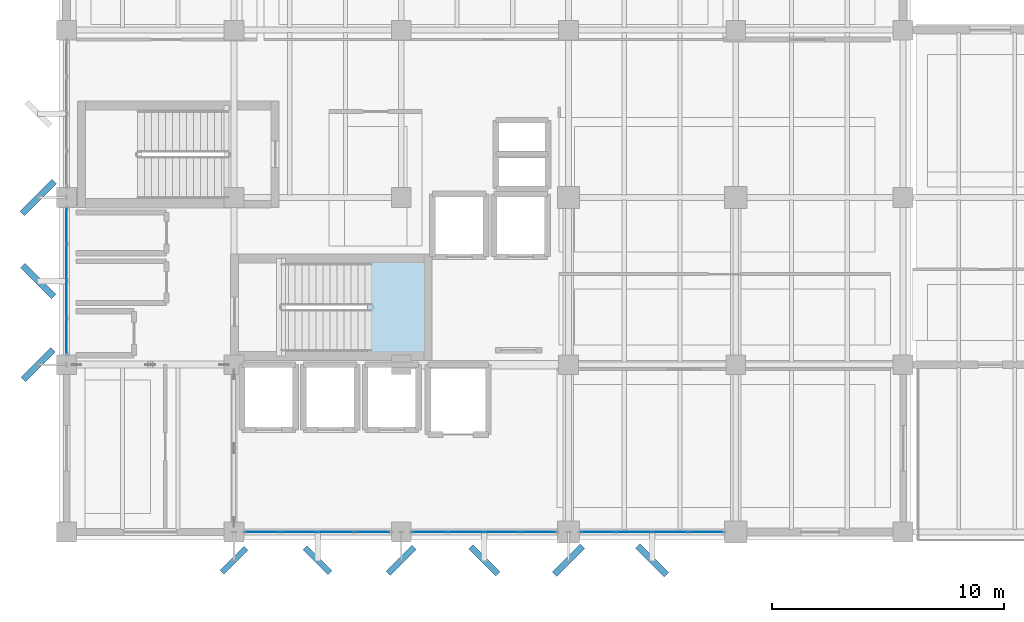
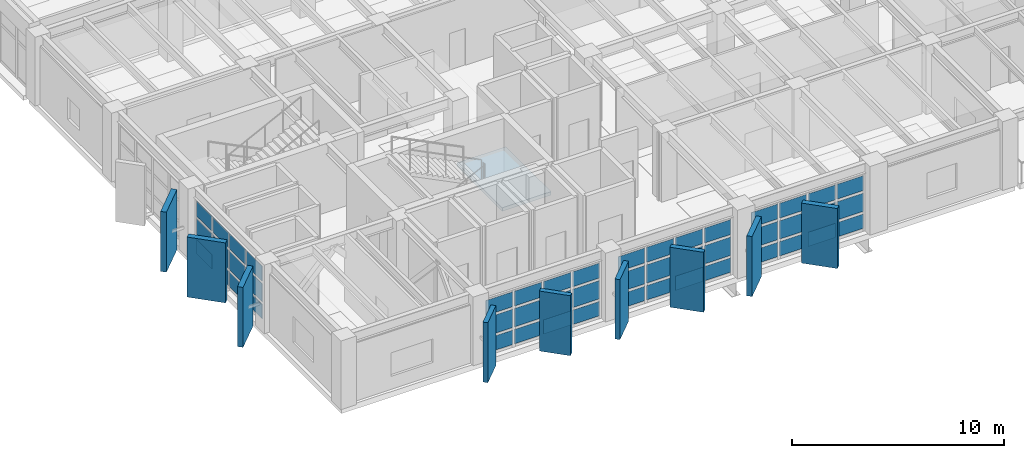
# One storey, part 34 of 59: 57 plates, 1 slab, 5 elements without a shape of their own.
"""IFC4 building model written with IfcOpenShell, lengths in metres."""

from ifc_helpers import new_model, si_unit, direction, frame, origin, origin_2d, place, context, subcontext, project, spatial, polyline, rectangle, outline, extrude, material, layer, layer_set, type_object, element, aggregate, save


model = new_model("IFC4")

# Units and contexts
model_context = context("Model", 3, precision=1e-05, world=origin(), true_north=direction((0.0, 1.0)))
body_context = subcontext(model_context, "Body", "Model", "MODEL_VIEW")
ifc_project = project(units=[si_unit("LENGTHUNIT", "METRE"), si_unit("AREAUNIT", "SQUARE_METRE"), si_unit("VOLUMEUNIT", "CUBIC_METRE"), si_unit("PLANEANGLEUNIT", "RADIAN"), si_unit("MASSUNIT", "GRAM", prefix="KILO")], contexts=[model_context])

# Site, building, storey
site_placement = place(None, origin())
site = spatial("IfcSite", under=ifc_project, at=site_placement, CompositionType="ELEMENT")
building_placement = place(site_placement, origin())
building = spatial("IfcBuilding", under=site, at=building_placement, Name="Kandorven Conservatory and Botanical Research Centre", CompositionType="ELEMENT")
storey_placement = place(building_placement, frame((0.0, 0.0, 4.800048828125)))
storey = spatial("IfcBuildingStorey", under=building, at=storey_placement, Name="L01", CompositionType="ELEMENT", Elevation=4.800048828125)

# Curtain wall, plates
ifc_material_1 = material(Name="Bronze anodised thermally broken aluminium", Category="aluminium")
ifc_layer_1 = layer(ifc_material_1, 0.179931640625)
ifc_layer_set_1 = layer_set([ifc_layer_1], Name="Bronze anodised thermally broken aluminium")
curtain_wall_type = type_object("IfcCurtainWallType", Name="CW_Unitised", PredefinedType="USERDEFINED", material=ifc_layer_set_1)
curtain_wall_1_placement = place(storey_placement, origin())
curtain_wall_1 = element("IfcCurtainWall", 1, at=curtain_wall_1_placement, inside=storey, type_object=curtain_wall_type, Name="Tower laboratory curtain wall CW-TWR-S-L01-2", ObjectType="UNITISED GLAZING", PredefinedType="USERDEFINED")
ifc_material_2 = material(Name="Double-glazed solar-control low-E glass", Category="glass")
ifc_layer_2 = layer(ifc_material_2, 0.028076171875)
ifc_layer_set_2 = layer_set([ifc_layer_2], Name="Double-glazed solar-control low-E glass")
plate_type_1 = type_object("IfcPlateType", Name="CW_Panel", PredefinedType="CURTAIN_PANEL", material=ifc_layer_set_2)
plate_1_placement = place(storey_placement, frame((14.438720703125, 6.0, 0.14990234375), z_axis=(0.0, 0.0, 1.0), x_axis=(1.0, 0.0, 0.0)))
plate_1 = element("IfcPlate", 2, at=plate_1_placement, type_object=plate_type_1, Name="CW-01 panel 1.1", PredefinedType="CURTAIN_PANEL", context=body_context, shape_type="SweptSolid", body=[
    extrude(rectangle(XDim=1.467529296875, YDim=0.028076171875, at=origin_2d()), origin(), (0.0, 0.0, 1.0), 0.824951171875),
])
plate_2_placement = place(storey_placement, frame((14.438720703125, 6.0, 1.125), z_axis=(0.0, 0.0, 1.0), x_axis=(1.0, 0.0, 0.0)))
plate_2 = element("IfcPlate", 3, at=plate_2_placement, type_object=plate_type_1, Name="CW-01 panel 1.2", PredefinedType="CURTAIN_PANEL", context=body_context, shape_type="SweptSolid", body=[
    extrude(rectangle(XDim=1.467529296875, YDim=0.028076171875, at=origin_2d()), origin(), (0.0, 0.0, 1.0), 1.050048828125),
])
plate_3_placement = place(storey_placement, frame((14.438720703125, 6.0, 2.324951171875), z_axis=(0.0, 0.0, 1.0), x_axis=(1.0, 0.0, 0.0)))
plate_3 = element("IfcPlate", 4, at=plate_3_placement, type_object=plate_type_1, Name="CW-01 panel 1.3", PredefinedType="CURTAIN_PANEL", context=body_context, shape_type="SweptSolid", body=[
    extrude(rectangle(XDim=1.467529296875, YDim=0.028076171875, at=origin_2d()), origin(), (0.0, 0.0, 1.0), 0.85498046875),
])
plate_4_placement = place(storey_placement, frame((16.00634765625, 6.0, 0.14990234375), z_axis=(0.0, 0.0, 1.0), x_axis=(1.0, 0.0, 0.0)))
plate_4 = element("IfcPlate", 5, at=plate_4_placement, type_object=plate_type_1, Name="CW-01 panel 2.1", PredefinedType="CURTAIN_PANEL", context=body_context, shape_type="SweptSolid", body=[
    extrude(rectangle(XDim=1.507568359375, YDim=0.028076171875, at=origin_2d()), origin(), (0.0, 0.0, 1.0), 0.824951171875),
])
plate_5_placement = place(storey_placement, frame((16.00634765625, 6.0, 1.125), z_axis=(0.0, 0.0, 1.0), x_axis=(1.0, 0.0, 0.0)))
plate_5 = element("IfcPlate", 6, at=plate_5_placement, type_object=plate_type_1, Name="CW-01 panel 2.2", PredefinedType="CURTAIN_PANEL", context=body_context, shape_type="SweptSolid", body=[
    extrude(rectangle(XDim=1.507568359375, YDim=0.028076171875, at=origin_2d()), origin(), (0.0, 0.0, 1.0), 1.050048828125),
])
plate_6_placement = place(storey_placement, frame((16.00634765625, 6.0, 2.324951171875), z_axis=(0.0, 0.0, 1.0), x_axis=(1.0, 0.0, 0.0)))
plate_6 = element("IfcPlate", 7, at=plate_6_placement, type_object=plate_type_1, Name="CW-01 panel 2.3", PredefinedType="CURTAIN_PANEL", context=body_context, shape_type="SweptSolid", body=[
    extrude(rectangle(XDim=1.507568359375, YDim=0.028076171875, at=origin_2d()), origin(), (0.0, 0.0, 1.0), 0.85498046875),
])
plate_7_placement = place(storey_placement, frame((17.59375, 6.0, 0.14990234375), z_axis=(0.0, 0.0, 1.0), x_axis=(1.0, 0.0, 0.0)))
plate_7 = element("IfcPlate", 8, at=plate_7_placement, type_object=plate_type_1, Name="CW-01 panel 3.1", PredefinedType="CURTAIN_PANEL", context=body_context, shape_type="SweptSolid", body=[
    extrude(rectangle(XDim=1.507568359375, YDim=0.028076171875, at=origin_2d()), origin(), (0.0, 0.0, 1.0), 0.824951171875),
])
plate_8_placement = place(storey_placement, frame((17.59375, 6.0, 1.125), z_axis=(0.0, 0.0, 1.0), x_axis=(1.0, 0.0, 0.0)))
plate_8 = element("IfcPlate", 9, at=plate_8_placement, type_object=plate_type_1, Name="CW-01 panel 3.2", PredefinedType="CURTAIN_PANEL", context=body_context, shape_type="SweptSolid", body=[
    extrude(rectangle(XDim=1.507568359375, YDim=0.028076171875, at=origin_2d()), origin(), (0.0, 0.0, 1.0), 1.050048828125),
])
plate_9_placement = place(storey_placement, frame((17.59375, 6.0, 2.324951171875), z_axis=(0.0, 0.0, 1.0), x_axis=(1.0, 0.0, 0.0)))
plate_9 = element("IfcPlate", 10, at=plate_9_placement, type_object=plate_type_1, Name="CW-01 panel 3.3", PredefinedType="CURTAIN_PANEL", context=body_context, shape_type="SweptSolid", body=[
    extrude(rectangle(XDim=1.507568359375, YDim=0.028076171875, at=origin_2d()), origin(), (0.0, 0.0, 1.0), 0.85498046875),
])
plate_10_placement = place(storey_placement, frame((19.1611328125, 6.0, 0.14990234375), z_axis=(0.0, 0.0, 1.0), x_axis=(1.0, 0.0, 0.0)))
plate_10 = element("IfcPlate", 11, at=plate_10_placement, type_object=plate_type_1, Name="CW-01 panel 4.1", PredefinedType="CURTAIN_PANEL", context=body_context, shape_type="SweptSolid", body=[
    extrude(rectangle(XDim=1.467529296875, YDim=0.028076171875, at=origin_2d()), origin(), (0.0, 0.0, 1.0), 0.824951171875),
])
plate_11_placement = place(storey_placement, frame((19.1611328125, 6.0, 1.125), z_axis=(0.0, 0.0, 1.0), x_axis=(1.0, 0.0, 0.0)))
plate_11 = element("IfcPlate", 12, at=plate_11_placement, type_object=plate_type_1, Name="CW-01 panel 4.2", PredefinedType="CURTAIN_PANEL", context=body_context, shape_type="SweptSolid", body=[
    extrude(rectangle(XDim=1.467529296875, YDim=0.028076171875, at=origin_2d()), origin(), (0.0, 0.0, 1.0), 1.050048828125),
])
plate_12_placement = place(storey_placement, frame((19.1611328125, 6.0, 2.324951171875), z_axis=(0.0, 0.0, 1.0), x_axis=(1.0, 0.0, 0.0)))
plate_12 = element("IfcPlate", 13, at=plate_12_placement, type_object=plate_type_1, Name="CW-01 panel 4.3", PredefinedType="CURTAIN_PANEL", context=body_context, shape_type="SweptSolid", body=[
    extrude(rectangle(XDim=1.467529296875, YDim=0.028076171875, at=origin_2d()), origin(), (0.0, 0.0, 1.0), 0.85498046875),
])
aggregate(curtain_wall_1, [plate_1, plate_2, plate_3, plate_4, plate_5, plate_6, plate_7, plate_8, plate_9, plate_10, plate_11, plate_12])

curtain_wall_2_placement = place(storey_placement, origin())
curtain_wall_2 = element("IfcCurtainWall", 14, at=curtain_wall_2_placement, inside=storey, type_object=curtain_wall_type, Name="Tower laboratory curtain wall CW-TWR-S-L01-3", ObjectType="UNITISED GLAZING", PredefinedType="USERDEFINED")
plate_13_placement = place(storey_placement, frame((21.632568359375, 6.0, 0.14990234375), z_axis=(0.0, 0.0, 1.0), x_axis=(1.0, 0.0, 0.0)))
plate_13 = element("IfcPlate", 15, at=plate_13_placement, type_object=plate_type_1, Name="CW-01 panel 1.1", PredefinedType="CURTAIN_PANEL", context=body_context, shape_type="SweptSolid", body=[
    extrude(rectangle(XDim=1.455078125, YDim=0.028076171875, at=origin_2d()), origin(), (0.0, 0.0, 1.0), 0.824951171875),
])
plate_14_placement = place(storey_placement, frame((21.632568359375, 6.0, 1.125), z_axis=(0.0, 0.0, 1.0), x_axis=(1.0, 0.0, 0.0)))
plate_14 = element("IfcPlate", 16, at=plate_14_placement, type_object=plate_type_1, Name="CW-01 panel 1.2", PredefinedType="CURTAIN_PANEL", context=body_context, shape_type="SweptSolid", body=[
    extrude(rectangle(XDim=1.455078125, YDim=0.028076171875, at=origin_2d()), origin(), (0.0, 0.0, 1.0), 1.050048828125),
])
plate_15_placement = place(storey_placement, frame((21.632568359375, 6.0, 2.324951171875), z_axis=(0.0, 0.0, 1.0), x_axis=(1.0, 0.0, 0.0)))
plate_15 = element("IfcPlate", 17, at=plate_15_placement, type_object=plate_type_1, Name="CW-01 panel 1.3", PredefinedType="CURTAIN_PANEL", context=body_context, shape_type="SweptSolid", body=[
    extrude(rectangle(XDim=1.455078125, YDim=0.028076171875, at=origin_2d()), origin(), (0.0, 0.0, 1.0), 0.85498046875),
])
plate_16_placement = place(storey_placement, frame((23.1875, 6.0, 0.14990234375), z_axis=(0.0, 0.0, 1.0), x_axis=(1.0, 0.0, 0.0)))
plate_16 = element("IfcPlate", 18, at=plate_16_placement, type_object=plate_type_1, Name="CW-01 panel 2.1", PredefinedType="CURTAIN_PANEL", context=body_context, shape_type="SweptSolid", body=[
    extrude(rectangle(XDim=1.4951171875, YDim=0.028076171875, at=origin_2d()), origin(), (0.0, 0.0, 1.0), 0.824951171875),
])
plate_17_placement = place(storey_placement, frame((23.1875, 6.0, 1.125), z_axis=(0.0, 0.0, 1.0), x_axis=(1.0, 0.0, 0.0)))
plate_17 = element("IfcPlate", 19, at=plate_17_placement, type_object=plate_type_1, Name="CW-01 panel 2.2", PredefinedType="CURTAIN_PANEL", context=body_context, shape_type="SweptSolid", body=[
    extrude(rectangle(XDim=1.4951171875, YDim=0.028076171875, at=origin_2d()), origin(), (0.0, 0.0, 1.0), 1.050048828125),
])
plate_18_placement = place(storey_placement, frame((23.1875, 6.0, 2.324951171875), z_axis=(0.0, 0.0, 1.0), x_axis=(1.0, 0.0, 0.0)))
plate_18 = element("IfcPlate", 20, at=plate_18_placement, type_object=plate_type_1, Name="CW-01 panel 2.3", PredefinedType="CURTAIN_PANEL", context=body_context, shape_type="SweptSolid", body=[
    extrude(rectangle(XDim=1.4951171875, YDim=0.028076171875, at=origin_2d()), origin(), (0.0, 0.0, 1.0), 0.85498046875),
])
plate_19_placement = place(storey_placement, frame((24.762451171875, 6.0, 0.14990234375), z_axis=(0.0, 0.0, 1.0), x_axis=(1.0, 0.0, 0.0)))
plate_19 = element("IfcPlate", 21, at=plate_19_placement, type_object=plate_type_1, Name="CW-01 panel 3.1", PredefinedType="CURTAIN_PANEL", context=body_context, shape_type="SweptSolid", body=[
    extrude(rectangle(XDim=1.4951171875, YDim=0.028076171875, at=origin_2d()), origin(), (0.0, 0.0, 1.0), 0.824951171875),
])
plate_20_placement = place(storey_placement, frame((24.762451171875, 6.0, 1.125), z_axis=(0.0, 0.0, 1.0), x_axis=(1.0, 0.0, 0.0)))
plate_20 = element("IfcPlate", 22, at=plate_20_placement, type_object=plate_type_1, Name="CW-01 panel 3.2", PredefinedType="CURTAIN_PANEL", context=body_context, shape_type="SweptSolid", body=[
    extrude(rectangle(XDim=1.4951171875, YDim=0.028076171875, at=origin_2d()), origin(), (0.0, 0.0, 1.0), 1.050048828125),
])
plate_21_placement = place(storey_placement, frame((24.762451171875, 6.0, 2.324951171875), z_axis=(0.0, 0.0, 1.0), x_axis=(1.0, 0.0, 0.0)))
plate_21 = element("IfcPlate", 23, at=plate_21_placement, type_object=plate_type_1, Name="CW-01 panel 3.3", PredefinedType="CURTAIN_PANEL", context=body_context, shape_type="SweptSolid", body=[
    extrude(rectangle(XDim=1.4951171875, YDim=0.028076171875, at=origin_2d()), origin(), (0.0, 0.0, 1.0), 0.85498046875),
])
plate_22_placement = place(storey_placement, frame((26.3173828125, 6.0, 0.14990234375), z_axis=(0.0, 0.0, 1.0), x_axis=(1.0, 0.0, 0.0)))
plate_22 = element("IfcPlate", 24, at=plate_22_placement, type_object=plate_type_1, Name="CW-01 panel 4.1", PredefinedType="CURTAIN_PANEL", context=body_context, shape_type="SweptSolid", body=[
    extrude(rectangle(XDim=1.455078125, YDim=0.028076171875, at=origin_2d()), origin(), (0.0, 0.0, 1.0), 0.824951171875),
])
plate_23_placement = place(storey_placement, frame((26.3173828125, 6.0, 1.125), z_axis=(0.0, 0.0, 1.0), x_axis=(1.0, 0.0, 0.0)))
plate_23 = element("IfcPlate", 25, at=plate_23_placement, type_object=plate_type_1, Name="CW-01 panel 4.2", PredefinedType="CURTAIN_PANEL", context=body_context, shape_type="SweptSolid", body=[
    extrude(rectangle(XDim=1.455078125, YDim=0.028076171875, at=origin_2d()), origin(), (0.0, 0.0, 1.0), 1.050048828125),
])
plate_24_placement = place(storey_placement, frame((26.3173828125, 6.0, 2.324951171875), z_axis=(0.0, 0.0, 1.0), x_axis=(1.0, 0.0, 0.0)))
plate_24 = element("IfcPlate", 26, at=plate_24_placement, type_object=plate_type_1, Name="CW-01 panel 4.3", PredefinedType="CURTAIN_PANEL", context=body_context, shape_type="SweptSolid", body=[
    extrude(rectangle(XDim=1.455078125, YDim=0.028076171875, at=origin_2d()), origin(), (0.0, 0.0, 1.0), 0.85498046875),
])
aggregate(curtain_wall_2, [plate_13, plate_14, plate_15, plate_16, plate_17, plate_18, plate_19, plate_20, plate_21, plate_22, plate_23, plate_24])

curtain_wall_3_placement = place(storey_placement, origin())
curtain_wall_3 = element("IfcCurtainWall", 27, at=curtain_wall_3_placement, inside=storey, type_object=curtain_wall_type, Name="Tower laboratory curtain wall CW-TWR-S-L01-4", ObjectType="UNITISED GLAZING", PredefinedType="USERDEFINED")
plate_25_placement = place(storey_placement, frame((28.876220703125, 6.0, 0.14990234375), z_axis=(0.0, 0.0, 1.0), x_axis=(1.0, 0.0, 0.0)))
plate_25 = element("IfcPlate", 28, at=plate_25_placement, type_object=plate_type_1, Name="CW-01 panel 1.1", PredefinedType="CURTAIN_PANEL", context=body_context, shape_type="SweptSolid", body=[
    extrude(rectangle(XDim=1.4423828125, YDim=0.028076171875, at=origin_2d()), origin(), (0.0, 0.0, 1.0), 0.824951171875),
])
plate_26_placement = place(storey_placement, frame((28.876220703125, 6.0, 1.125), z_axis=(0.0, 0.0, 1.0), x_axis=(1.0, 0.0, 0.0)))
plate_26 = element("IfcPlate", 29, at=plate_26_placement, type_object=plate_type_1, Name="CW-01 panel 1.2", PredefinedType="CURTAIN_PANEL", context=body_context, shape_type="SweptSolid", body=[
    extrude(rectangle(XDim=1.4423828125, YDim=0.028076171875, at=origin_2d()), origin(), (0.0, 0.0, 1.0), 1.050048828125),
])
plate_27_placement = place(storey_placement, frame((28.876220703125, 6.0, 2.324951171875), z_axis=(0.0, 0.0, 1.0), x_axis=(1.0, 0.0, 0.0)))
plate_27 = element("IfcPlate", 30, at=plate_27_placement, type_object=plate_type_1, Name="CW-01 panel 1.3", PredefinedType="CURTAIN_PANEL", context=body_context, shape_type="SweptSolid", body=[
    extrude(rectangle(XDim=1.4423828125, YDim=0.028076171875, at=origin_2d()), origin(), (0.0, 0.0, 1.0), 0.85498046875),
])
plate_28_placement = place(storey_placement, frame((30.418701171875, 6.0, 0.14990234375), z_axis=(0.0, 0.0, 1.0), x_axis=(1.0, 0.0, 0.0)))
plate_28 = element("IfcPlate", 31, at=plate_28_placement, type_object=plate_type_1, Name="CW-01 panel 2.1", PredefinedType="CURTAIN_PANEL", context=body_context, shape_type="SweptSolid", body=[
    extrude(rectangle(XDim=1.482421875, YDim=0.028076171875, at=origin_2d()), origin(), (0.0, 0.0, 1.0), 0.824951171875),
])
plate_29_placement = place(storey_placement, frame((30.418701171875, 6.0, 1.125), z_axis=(0.0, 0.0, 1.0), x_axis=(1.0, 0.0, 0.0)))
plate_29 = element("IfcPlate", 32, at=plate_29_placement, type_object=plate_type_1, Name="CW-01 panel 2.2", PredefinedType="CURTAIN_PANEL", context=body_context, shape_type="SweptSolid", body=[
    extrude(rectangle(XDim=1.482421875, YDim=0.028076171875, at=origin_2d()), origin(), (0.0, 0.0, 1.0), 1.050048828125),
])
plate_30_placement = place(storey_placement, frame((30.418701171875, 6.0, 2.324951171875), z_axis=(0.0, 0.0, 1.0), x_axis=(1.0, 0.0, 0.0)))
plate_30 = element("IfcPlate", 33, at=plate_30_placement, type_object=plate_type_1, Name="CW-01 panel 2.3", PredefinedType="CURTAIN_PANEL", context=body_context, shape_type="SweptSolid", body=[
    extrude(rectangle(XDim=1.482421875, YDim=0.028076171875, at=origin_2d()), origin(), (0.0, 0.0, 1.0), 0.85498046875),
])
plate_31_placement = place(storey_placement, frame((31.981201171875, 6.0, 0.14990234375), z_axis=(0.0, 0.0, 1.0), x_axis=(1.0, 0.0, 0.0)))
plate_31 = element("IfcPlate", 34, at=plate_31_placement, type_object=plate_type_1, Name="CW-01 panel 3.1", PredefinedType="CURTAIN_PANEL", context=body_context, shape_type="SweptSolid", body=[
    extrude(rectangle(XDim=1.482421875, YDim=0.028076171875, at=origin_2d()), origin(), (0.0, 0.0, 1.0), 0.824951171875),
])
plate_32_placement = place(storey_placement, frame((31.981201171875, 6.0, 1.125), z_axis=(0.0, 0.0, 1.0), x_axis=(1.0, 0.0, 0.0)))
plate_32 = element("IfcPlate", 35, at=plate_32_placement, type_object=plate_type_1, Name="CW-01 panel 3.2", PredefinedType="CURTAIN_PANEL", context=body_context, shape_type="SweptSolid", body=[
    extrude(rectangle(XDim=1.482421875, YDim=0.028076171875, at=origin_2d()), origin(), (0.0, 0.0, 1.0), 1.050048828125),
])
plate_33_placement = place(storey_placement, frame((31.981201171875, 6.0, 2.324951171875), z_axis=(0.0, 0.0, 1.0), x_axis=(1.0, 0.0, 0.0)))
plate_33 = element("IfcPlate", 36, at=plate_33_placement, type_object=plate_type_1, Name="CW-01 panel 3.3", PredefinedType="CURTAIN_PANEL", context=body_context, shape_type="SweptSolid", body=[
    extrude(rectangle(XDim=1.482421875, YDim=0.028076171875, at=origin_2d()), origin(), (0.0, 0.0, 1.0), 0.85498046875),
])
plate_34_placement = place(storey_placement, frame((33.523681640625, 6.0, 0.14990234375), z_axis=(0.0, 0.0, 1.0), x_axis=(1.0, 0.0, 0.0)))
plate_34 = element("IfcPlate", 37, at=plate_34_placement, type_object=plate_type_1, Name="CW-01 panel 4.1", PredefinedType="CURTAIN_PANEL", context=body_context, shape_type="SweptSolid", body=[
    extrude(rectangle(XDim=1.4423828125, YDim=0.028076171875, at=origin_2d()), origin(), (0.0, 0.0, 1.0), 0.824951171875),
])
plate_35_placement = place(storey_placement, frame((33.523681640625, 6.0, 1.125), z_axis=(0.0, 0.0, 1.0), x_axis=(1.0, 0.0, 0.0)))
plate_35 = element("IfcPlate", 38, at=plate_35_placement, type_object=plate_type_1, Name="CW-01 panel 4.2", PredefinedType="CURTAIN_PANEL", context=body_context, shape_type="SweptSolid", body=[
    extrude(rectangle(XDim=1.4423828125, YDim=0.028076171875, at=origin_2d()), origin(), (0.0, 0.0, 1.0), 1.050048828125),
])
plate_36_placement = place(storey_placement, frame((33.523681640625, 6.0, 2.324951171875), z_axis=(0.0, 0.0, 1.0), x_axis=(1.0, 0.0, 0.0)))
plate_36 = element("IfcPlate", 39, at=plate_36_placement, type_object=plate_type_1, Name="CW-01 panel 4.3", PredefinedType="CURTAIN_PANEL", context=body_context, shape_type="SweptSolid", body=[
    extrude(rectangle(XDim=1.4423828125, YDim=0.028076171875, at=origin_2d()), origin(), (0.0, 0.0, 1.0), 0.85498046875),
])
aggregate(curtain_wall_3, [plate_25, plate_26, plate_27, plate_28, plate_29, plate_30, plate_31, plate_32, plate_33, plate_34, plate_35, plate_36])

curtain_wall_4_placement = place(storey_placement, origin())
curtain_wall_4 = element("IfcCurtainWall", 40, at=curtain_wall_4_placement, inside=storey, type_object=curtain_wall_type, Name="Tower laboratory curtain wall CW-TWR-W-L01-2", ObjectType="UNITISED GLAZING", PredefinedType="USERDEFINED")
plate_37_placement = place(storey_placement, frame((6.0, 14.438720703125, 0.14990234375), z_axis=(0.0, 0.0, 1.0), x_axis=(0.0, 1.0, 0.0)))
plate_37 = element("IfcPlate", 41, at=plate_37_placement, type_object=plate_type_1, Name="CW-01 panel 1.1", PredefinedType="CURTAIN_PANEL", context=body_context, shape_type="SweptSolid", body=[
    extrude(rectangle(XDim=1.467529296875, YDim=0.028076171875, at=origin_2d()), origin(), (0.0, 0.0, 1.0), 0.824951171875),
])
plate_38_placement = place(storey_placement, frame((6.0, 14.438720703125, 1.125), z_axis=(0.0, 0.0, 1.0), x_axis=(0.0, 1.0, 0.0)))
plate_38 = element("IfcPlate", 42, at=plate_38_placement, type_object=plate_type_1, Name="CW-01 panel 1.2", PredefinedType="CURTAIN_PANEL", context=body_context, shape_type="SweptSolid", body=[
    extrude(rectangle(XDim=1.467529296875, YDim=0.028076171875, at=origin_2d()), origin(), (0.0, 0.0, 1.0), 1.050048828125),
])
plate_39_placement = place(storey_placement, frame((6.0, 14.438720703125, 2.324951171875), z_axis=(0.0, 0.0, 1.0), x_axis=(0.0, 1.0, 0.0)))
plate_39 = element("IfcPlate", 43, at=plate_39_placement, type_object=plate_type_1, Name="CW-01 panel 1.3", PredefinedType="CURTAIN_PANEL", context=body_context, shape_type="SweptSolid", body=[
    extrude(rectangle(XDim=1.467529296875, YDim=0.028076171875, at=origin_2d()), origin(), (0.0, 0.0, 1.0), 0.85498046875),
])
plate_40_placement = place(storey_placement, frame((6.0, 16.00634765625, 0.14990234375), z_axis=(0.0, 0.0, 1.0), x_axis=(0.0, 1.0, 0.0)))
plate_40 = element("IfcPlate", 44, at=plate_40_placement, type_object=plate_type_1, Name="CW-01 panel 2.1", PredefinedType="CURTAIN_PANEL", context=body_context, shape_type="SweptSolid", body=[
    extrude(rectangle(XDim=1.507568359375, YDim=0.028076171875, at=origin_2d()), origin(), (0.0, 0.0, 1.0), 0.824951171875),
])
plate_41_placement = place(storey_placement, frame((6.0, 16.00634765625, 1.125), z_axis=(0.0, 0.0, 1.0), x_axis=(0.0, 1.0, 0.0)))
plate_41 = element("IfcPlate", 45, at=plate_41_placement, type_object=plate_type_1, Name="CW-01 panel 2.2", PredefinedType="CURTAIN_PANEL", context=body_context, shape_type="SweptSolid", body=[
    extrude(rectangle(XDim=1.507568359375, YDim=0.028076171875, at=origin_2d()), origin(), (0.0, 0.0, 1.0), 1.050048828125),
])
plate_42_placement = place(storey_placement, frame((6.0, 16.00634765625, 2.324951171875), z_axis=(0.0, 0.0, 1.0), x_axis=(0.0, 1.0, 0.0)))
plate_42 = element("IfcPlate", 46, at=plate_42_placement, type_object=plate_type_1, Name="CW-01 panel 2.3", PredefinedType="CURTAIN_PANEL", context=body_context, shape_type="SweptSolid", body=[
    extrude(rectangle(XDim=1.507568359375, YDim=0.028076171875, at=origin_2d()), origin(), (0.0, 0.0, 1.0), 0.85498046875),
])
plate_43_placement = place(storey_placement, frame((6.0, 17.59375, 0.14990234375), z_axis=(0.0, 0.0, 1.0), x_axis=(0.0, 1.0, 0.0)))
plate_43 = element("IfcPlate", 47, at=plate_43_placement, type_object=plate_type_1, Name="CW-01 panel 3.1", PredefinedType="CURTAIN_PANEL", context=body_context, shape_type="SweptSolid", body=[
    extrude(rectangle(XDim=1.507568359375, YDim=0.028076171875, at=origin_2d()), origin(), (0.0, 0.0, 1.0), 0.824951171875),
])
plate_44_placement = place(storey_placement, frame((6.0, 17.59375, 1.125), z_axis=(0.0, 0.0, 1.0), x_axis=(0.0, 1.0, 0.0)))
plate_44 = element("IfcPlate", 48, at=plate_44_placement, type_object=plate_type_1, Name="CW-01 panel 3.2", PredefinedType="CURTAIN_PANEL", context=body_context, shape_type="SweptSolid", body=[
    extrude(rectangle(XDim=1.507568359375, YDim=0.028076171875, at=origin_2d()), origin(), (0.0, 0.0, 1.0), 1.050048828125),
])
plate_45_placement = place(storey_placement, frame((6.0, 17.59375, 2.324951171875), z_axis=(0.0, 0.0, 1.0), x_axis=(0.0, 1.0, 0.0)))
plate_45 = element("IfcPlate", 49, at=plate_45_placement, type_object=plate_type_1, Name="CW-01 panel 3.3", PredefinedType="CURTAIN_PANEL", context=body_context, shape_type="SweptSolid", body=[
    extrude(rectangle(XDim=1.507568359375, YDim=0.028076171875, at=origin_2d()), origin(), (0.0, 0.0, 1.0), 0.85498046875),
])
plate_46_placement = place(storey_placement, frame((6.0, 19.1611328125, 0.14990234375), z_axis=(0.0, 0.0, 1.0), x_axis=(0.0, 1.0, 0.0)))
plate_46 = element("IfcPlate", 50, at=plate_46_placement, type_object=plate_type_1, Name="CW-01 panel 4.1", PredefinedType="CURTAIN_PANEL", context=body_context, shape_type="SweptSolid", body=[
    extrude(rectangle(XDim=1.467529296875, YDim=0.028076171875, at=origin_2d()), origin(), (0.0, 0.0, 1.0), 0.824951171875),
])
plate_47_placement = place(storey_placement, frame((6.0, 19.1611328125, 1.125), z_axis=(0.0, 0.0, 1.0), x_axis=(0.0, 1.0, 0.0)))
plate_47 = element("IfcPlate", 51, at=plate_47_placement, type_object=plate_type_1, Name="CW-01 panel 4.2", PredefinedType="CURTAIN_PANEL", context=body_context, shape_type="SweptSolid", body=[
    extrude(rectangle(XDim=1.467529296875, YDim=0.028076171875, at=origin_2d()), origin(), (0.0, 0.0, 1.0), 1.050048828125),
])
plate_48_placement = place(storey_placement, frame((6.0, 19.1611328125, 2.324951171875), z_axis=(0.0, 0.0, 1.0), x_axis=(0.0, 1.0, 0.0)))
plate_48 = element("IfcPlate", 52, at=plate_48_placement, type_object=plate_type_1, Name="CW-01 panel 4.3", PredefinedType="CURTAIN_PANEL", context=body_context, shape_type="SweptSolid", body=[
    extrude(rectangle(XDim=1.467529296875, YDim=0.028076171875, at=origin_2d()), origin(), (0.0, 0.0, 1.0), 0.85498046875),
])
aggregate(curtain_wall_4, [plate_37, plate_38, plate_39, plate_40, plate_41, plate_42, plate_43, plate_44, plate_45, plate_46, plate_47, plate_48])

# Plates
ifc_material_3 = material(Name="Precast concrete C40/50 (M50)", Category="concrete")
ifc_layer_3 = layer(ifc_material_3, 0.2451171875)
ifc_layer_set_3 = layer_set([ifc_layer_3], Name="Precast concrete C40/50 (M50)")
plate_type_2 = type_object("IfcPlateType", Name="Fin_BF-02", PredefinedType="USERDEFINED", material=ifc_layer_set_3)
plate_49_placement = place(storey_placement, frame((13.199951171875, 4.780029296875, -0.1201171875), z_axis=(0.0, 0.0, 1.0), x_axis=(0.707106781187, 0.707106781187, 0.0)))
element("IfcPlate", 53, at=plate_49_placement, inside=storey, type_object=plate_type_2, Name="Sculpted board-marked concrete brise-soleil fin BF-02", ObjectType="SOLAR FIN", PredefinedType="USERDEFINED", context=body_context, shape_type="SweptSolid", body=[
    extrude(rectangle(XDim=1.4599609375, YDim=0.2451171875, at=origin_2d()), origin(), (0.0, 0.0, 1.0), 3.449951171875),
])
ifc_material_4 = material(Name="Precast concrete C40/50 (M50)", Category="concrete")
ifc_layer_4 = layer(ifc_material_4, 0.25)
ifc_layer_set_4 = layer_set([ifc_layer_4], Name="Precast concrete C40/50 (M50)")
plate_type_3 = type_object("IfcPlateType", Name="Fin_BF-03", PredefinedType="USERDEFINED", material=ifc_layer_set_4)
plate_50_placement = place(storey_placement, frame((16.800048828125, 4.780029296875, -0.1201171875), z_axis=(0.0, 0.0, 1.0), x_axis=(-0.707106781187, 0.707106781187, 0.0)))
element("IfcPlate", 54, at=plate_50_placement, inside=storey, type_object=plate_type_3, Name="Sculpted board-marked concrete brise-soleil fin BF-03", ObjectType="SOLAR FIN", PredefinedType="USERDEFINED", context=body_context, shape_type="SweptSolid", body=[
    extrude(rectangle(XDim=1.52001953125, YDim=0.25, at=origin_2d()), origin(), (0.0, 0.0, 1.0), 3.449951171875),
])
ifc_material_5 = material(Name="Precast concrete C40/50 (M50)", Category="concrete")
ifc_layer_5 = layer(ifc_material_5, 0.2548828125)
ifc_layer_set_5 = layer_set([ifc_layer_5], Name="Precast concrete C40/50 (M50)")
plate_type_4 = type_object("IfcPlateType", Name="Fin_BF-04", PredefinedType="USERDEFINED", material=ifc_layer_set_5)
plate_51_placement = place(storey_placement, frame((20.39990234375, 4.780029296875, -0.1201171875), z_axis=(0.0, 0.0, 1.0), x_axis=(0.707106781187, 0.707106781187, 0.0)))
element("IfcPlate", 55, at=plate_51_placement, inside=storey, type_object=plate_type_4, Name="Sculpted board-marked concrete brise-soleil fin BF-04", ObjectType="SOLAR FIN", PredefinedType="USERDEFINED", context=body_context, shape_type="SweptSolid", body=[
    extrude(rectangle(XDim=1.580078125, YDim=0.2548828125, at=origin_2d()), origin(), (0.0, 0.0, 1.0), 3.449951171875),
])
ifc_material_6 = material(Name="Precast concrete C40/50 (M50)", Category="concrete")
ifc_layer_6 = layer(ifc_material_6, 0.260009765625)
ifc_layer_set_6 = layer_set([ifc_layer_6], Name="Precast concrete C40/50 (M50)")
plate_type_5 = type_object("IfcPlateType", Name="Fin_BF-05", PredefinedType="USERDEFINED", material=ifc_layer_set_6)
plate_52_placement = place(storey_placement, frame((23.97509765625, 4.780029296875, -0.1201171875), z_axis=(0.0, 0.0, 1.0), x_axis=(-0.707106781187, 0.707106781187, 0.0)))
element("IfcPlate", 56, at=plate_52_placement, inside=storey, type_object=plate_type_5, Name="Sculpted board-marked concrete brise-soleil fin BF-05", ObjectType="SOLAR FIN", PredefinedType="USERDEFINED", context=body_context, shape_type="SweptSolid", body=[
    extrude(rectangle(XDim=1.639892578125, YDim=0.260009765625, at=origin_2d()), origin(), (0.0, 0.0, 1.0), 3.449951171875),
])
ifc_material_7 = material(Name="Precast concrete C40/50 (M50)", Category="concrete")
ifc_layer_7 = layer(ifc_material_7, 0.264892578125)
ifc_layer_set_7 = layer_set([ifc_layer_7], Name="Precast concrete C40/50 (M50)")
plate_type_6 = type_object("IfcPlateType", Name="Fin_BF-06", PredefinedType="USERDEFINED", material=ifc_layer_set_7)
plate_53_placement = place(storey_placement, frame((27.60009765625, 4.780029296875, -0.1201171875), z_axis=(0.0, 0.0, 1.0), x_axis=(0.707106781187, 0.707106781187, 0.0)))
element("IfcPlate", 57, at=plate_53_placement, inside=storey, type_object=plate_type_6, Name="Sculpted board-marked concrete brise-soleil fin BF-06", ObjectType="SOLAR FIN", PredefinedType="USERDEFINED", context=body_context, shape_type="SweptSolid", body=[
    extrude(rectangle(XDim=1.699951171875, YDim=0.264892578125, at=origin_2d()), origin(), (0.0, 0.0, 1.0), 3.449951171875),
])
ifc_material_8 = material(Name="Precast concrete C40/50 (M50)", Category="concrete")
ifc_layer_8 = layer(ifc_material_8, 0.27001953125)
ifc_layer_set_8 = layer_set([ifc_layer_8], Name="Precast concrete C40/50 (M50)")
plate_type_7 = type_object("IfcPlateType", Name="Fin_BF-07", PredefinedType="USERDEFINED", material=ifc_layer_set_8)
plate_54_placement = place(storey_placement, frame((31.199951171875, 4.780029296875, -0.1201171875), z_axis=(0.0, 0.0, 1.0), x_axis=(-0.707106781187, 0.707106781187, 0.0)))
element("IfcPlate", 58, at=plate_54_placement, inside=storey, type_object=plate_type_7, Name="Sculpted board-marked concrete brise-soleil fin BF-07", ObjectType="SOLAR FIN", PredefinedType="USERDEFINED", context=body_context, shape_type="SweptSolid", body=[
    extrude(rectangle(XDim=1.760009765625, YDim=0.27001953125, at=origin_2d()), origin(), (0.0, 0.0, 1.0), 3.449951171875),
])
ifc_material_9 = material(Name="Precast concrete C40/50 (M50)", Category="concrete")
ifc_layer_9 = layer(ifc_material_9, 0.27490234375)
ifc_layer_set_9 = layer_set([ifc_layer_9], Name="Precast concrete C40/50 (M50)")
plate_type_8 = type_object("IfcPlateType", Name="Fin_BF-08", PredefinedType="USERDEFINED", material=ifc_layer_set_9)
plate_55_placement = place(storey_placement, frame((4.780029296875, 13.199951171875, -0.1201171875), z_axis=(0.0, 0.0, 1.0), x_axis=(0.707106781187, 0.707106781187, 0.0)))
element("IfcPlate", 59, at=plate_55_placement, inside=storey, type_object=plate_type_8, Name="Sculpted board-marked concrete brise-soleil fin BF-08", ObjectType="SOLAR FIN", PredefinedType="USERDEFINED", context=body_context, shape_type="SweptSolid", body=[
    extrude(rectangle(XDim=1.820068359375, YDim=0.27490234375, at=origin_2d()), origin(), (0.0, 0.0, 1.0), 3.449951171875),
])
ifc_material_10 = material(Name="Precast concrete C40/50 (M50)", Category="concrete")
ifc_layer_10 = layer(ifc_material_10, 0.280029296875)
ifc_layer_set_10 = layer_set([ifc_layer_10], Name="Precast concrete C40/50 (M50)")
plate_type_9 = type_object("IfcPlateType", Name="Fin_BF-09", PredefinedType="USERDEFINED", material=ifc_layer_set_10)
plate_56_placement = place(storey_placement, frame((4.780029296875, 16.800048828125, -0.1201171875), z_axis=(0.0, 0.0, 1.0), x_axis=(-0.707106781187, 0.707106781187, 0.0)))
element("IfcPlate", 60, at=plate_56_placement, inside=storey, type_object=plate_type_9, Name="Sculpted board-marked concrete brise-soleil fin BF-09", ObjectType="SOLAR FIN", PredefinedType="USERDEFINED", context=body_context, shape_type="SweptSolid", body=[
    extrude(rectangle(XDim=1.8798828125, YDim=0.280029296875, at=origin_2d()), origin(), (0.0, 0.0, 1.0), 3.449951171875),
])
ifc_material_11 = material(Name="Precast concrete C40/50 (M50)", Category="concrete")
ifc_layer_11 = layer(ifc_material_11, 0.284912109375)
ifc_layer_set_11 = layer_set([ifc_layer_11], Name="Precast concrete C40/50 (M50)")
plate_type_10 = type_object("IfcPlateType", Name="Fin_BF-10", PredefinedType="USERDEFINED", material=ifc_layer_set_11)
plate_57_placement = place(storey_placement, frame((4.780029296875, 20.39990234375, -0.1201171875), z_axis=(0.0, 0.0, 1.0), x_axis=(0.707106781187, 0.707106781187, 0.0)))
element("IfcPlate", 61, at=plate_57_placement, inside=storey, type_object=plate_type_10, Name="Sculpted board-marked concrete brise-soleil fin BF-10", ObjectType="SOLAR FIN", PredefinedType="USERDEFINED", context=body_context, shape_type="SweptSolid", body=[
    extrude(rectangle(XDim=1.93994140625, YDim=0.284912109375, at=origin_2d()), origin(), (0.0, 0.0, 1.0), 3.449951171875),
])

# Stair, slab
ifc_material_12 = material(Name="Concrete C32/40 (M40)", Category="concrete")
stair_type = type_object("IfcStairType", Name="Stair_1820", PredefinedType="HALF_TURN_STAIR", material=ifc_material_12)
stair_placement = place(storey_placement, origin())
stair = element("IfcStair", 62, at=stair_placement, inside=storey, type_object=stair_type, Name="L01 Tower Fire Stair ST-T1", PredefinedType="HALF_TURN_STAIR")
ifc_material_13 = material(Name="Concrete C32/40 (M40)", Category="concrete")
ifc_layer_12 = layer(ifc_material_13, 0.199951171875)
ifc_layer_set_12 = layer_set([ifc_layer_12], Name="Concrete C32/40 (M40)")
slab_type = type_object("IfcSlabType", Name="StairLanding_200", PredefinedType="LANDING", material=ifc_layer_set_12)
slab_placement = place(storey_placement, frame((0.0, 0.0, 1.89990234375)))
slab = element("IfcSlab", 63, at=slab_placement, type_object=slab_type, Name="ST-T1 landing 1", PredefinedType="LANDING", context=body_context, shape_type="SweptSolid", body=[
    extrude(outline(polyline([(18.95947265625, 13.5400390625), (21.6201171875, 13.5400390625), (21.6201171875, 17.81005859375), (18.95947265625, 17.81005859375), (18.95947265625, 13.5400390625)])), origin(), (0.0, 0.0, 1.0), 0.199951171875),
])
aggregate(stair, [slab])

save(model, "model.ifc")
